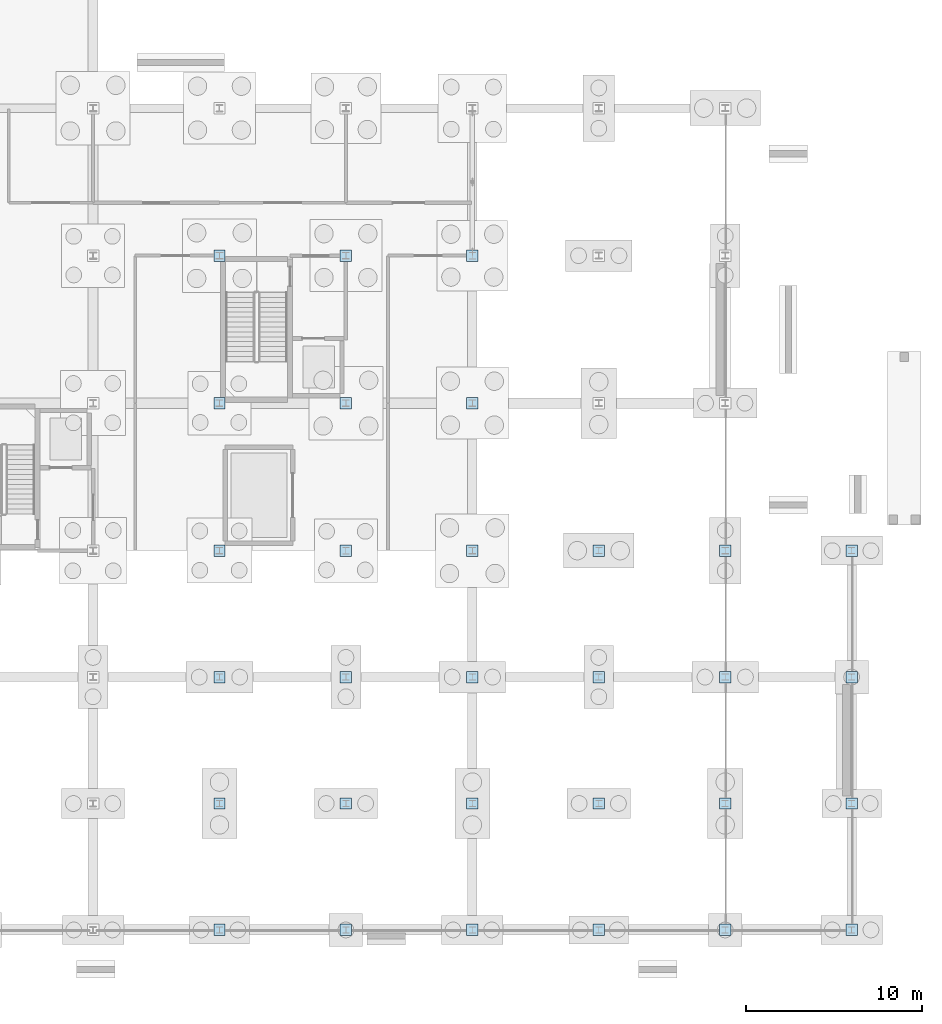
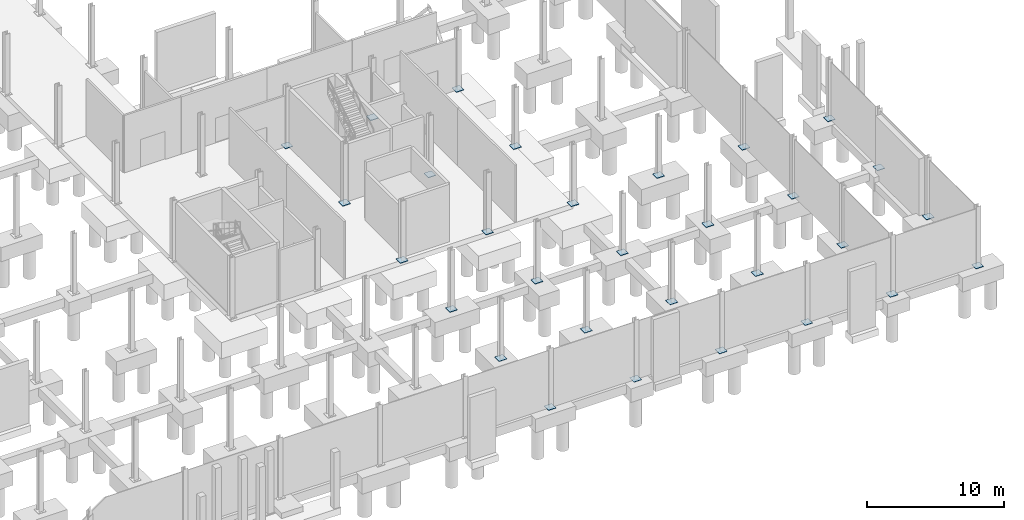
# One storey, part 40 of 61: 30 plates.
"""IFC4 building model written with IfcOpenShell, lengths in metres."""

from ifc_helpers import new_model, si_unit, direction, frame, origin, origin_2d, place, context, subcontext, project, spatial, rectangle, extrude, material, layer, layer_set, type_object, element, save


model = new_model("IFC4")

# Units and contexts
model_context = context("Model", 3, precision=1e-05, world=origin(), true_north=direction((0.0, 1.0)))
body_context = subcontext(model_context, "Body", "Model", "MODEL_VIEW")
ifc_project = project(units=[si_unit("LENGTHUNIT", "METRE"), si_unit("AREAUNIT", "SQUARE_METRE"), si_unit("VOLUMEUNIT", "CUBIC_METRE"), si_unit("PLANEANGLEUNIT", "RADIAN"), si_unit("MASSUNIT", "GRAM", prefix="KILO")], contexts=[model_context])

# Site, building, storey
site_placement = place(None, origin())
site = spatial("IfcSite", under=ifc_project, at=site_placement, CompositionType="ELEMENT")
building_placement = place(site_placement, origin())
building = spatial("IfcBuilding", under=site, at=building_placement, Name="Calvrana Isthmian Art Gallery", CompositionType="ELEMENT")
storey_placement = place(building_placement, frame((0.0, 0.0, -5.39990234375)))
storey = spatial("IfcBuildingStorey", under=building, at=storey_placement, Name="B1", CompositionType="ELEMENT", Elevation=-5.39990234375)

# Plates
ifc_material = material(Name="Steel ASTM A572 Gr 50", Category="steel")
ifc_layer_1 = layer(ifc_material, 0.0380859375, Name="Steel ASTM A572 Gr 50")
ifc_layer_set_1 = layer_set([ifc_layer_1], Name="Steel ASTM A572 Gr 50")
plate_type_1 = type_object("IfcPlateType", Name="PL-BASE-38", PredefinedType="USERDEFINED", material=ifc_layer_set_1)
for number, where, z_axis, x_axis, name in (
    (1, (127.199951171875, 0.0, -0.000244140625), (0.0, 0.0, 1.0), (1.0, 0.0, 0.0), "Base plate 17/A"),
    (2, (127.199951171875, 7.199951171875, -0.000244140625), (0.0, 0.0, 1.0), (1.0, 0.0, 0.0), "Base plate 17/B"),
    (3, (134.39990234375, 0.0, -0.000244140625), (0.0, 0.0, 1.0), (1.0, 0.0, 0.0), "Base plate 18/A"),
    (4, (134.39990234375, 7.199951171875, -0.000244140625), (0.0, 0.0, 1.0), (1.0, 0.0, 0.0), "Base plate 18/B"),
    (5, (141.60009765625, 0.0, -0.000244140625), (0.0, 0.0, 1.0), (1.0, 0.0, 0.0), "Base plate 19/A"),
    (6, (141.60009765625, 7.199951171875, -0.000244140625), (0.0, 0.0, 1.0), (1.0, 0.0, 0.0), "Base plate 19/B"),
    (7, (148.800048828125, 0.0, -0.000244140625), (0.0, 0.0, 1.0), (1.0, 0.0, 0.0), "Base plate 20/A"),
    (8, (148.800048828125, 7.199951171875, -0.000244140625), (0.0, 0.0, 1.0), (1.0, 0.0, 0.0), "Base plate 20/B"),
    (9, (148.800048828125, 14.39990234375, -0.000244140625), (0.0, 0.0, 1.0), (1.0, 0.0, 0.0), "Base plate 20/C"),
    (10, (148.800048828125, 21.60009765625, -0.000244140625), (0.0, 0.0, 1.0), (1.0, 0.0, 0.0), "Base plate 20/D"),
    (11, (156.0, 0.0, -0.000244140625), (0.0, 0.0, 1.0), (1.0, 0.0, 0.0), "Base plate 21/A"),
    (12, (156.0, 7.199951171875, -0.000244140625), (0.0, 0.0, 1.0), (1.0, 0.0, 0.0), "Base plate 21/B"),
    (13, (156.0, 14.39990234375, -0.000244140625), (0.0, 0.0, 1.0), (1.0, 0.0, 0.0), "Base plate 21/C"),
    (14, (156.0, 21.60009765625, -0.000244140625), (0.0, 0.0, 1.0), (1.0, 0.0, 0.0), "Base plate 21/D"),
    (15, (163.199951171875, 0.0, -0.000244140625), (0.0, 0.0, 1.0), (1.0, 0.0, 0.0), "Base plate 22/A"),
    (16, (163.199951171875, 7.199951171875, -0.000244140625), (0.0, 0.0, 1.0), (1.0, 0.0, 0.0), "Base plate 22/B"),
    (17, (163.199951171875, 14.39990234375, -0.000244140625), (0.0, 0.0, 1.0), (1.0, 0.0, 0.0), "Base plate 22/C"),
    (18, (163.199951171875, 21.60009765625, -0.000244140625), (0.0, 0.0, 1.0), (1.0, 0.0, 0.0), "Base plate 22/D"),
):
    element("IfcPlate", number, at=place(storey_placement, frame(where, z_axis=z_axis, x_axis=x_axis)), inside=storey, type_object=plate_type_1, Name=name, ObjectType="BASE PLATE", PredefinedType="USERDEFINED", context=body_context, shape_type="SweptSolid", body=[
        extrude(rectangle(XDim=0.64990234375, YDim=0.64990234375, at=origin_2d()), origin(), (0.0, 0.0, 1.0), 0.0380859375),
    ])
ifc_layer_2 = layer(ifc_material, 0.044921875, Name="Steel ASTM A572 Gr 50")
ifc_layer_set_2 = layer_set([ifc_layer_2], Name="Steel ASTM A572 Gr 50")
plate_type_2 = type_object("IfcPlateType", Name="PL-BASE-45", PredefinedType="USERDEFINED", material=ifc_layer_set_2)
for number, where, z_axis, x_axis, name in (
    (19, (127.199951171875, 14.39990234375, 0.0), (0.0, 0.0, 1.0), (1.0, 0.0, 0.0), "Base plate 17/C"),
    (20, (127.199951171875, 21.60009765625, 0.0), (0.0, 0.0, 1.0), (1.0, 0.0, 0.0), "Base plate 17/D"),
    (21, (127.199951171875, 30.0, 0.0), (0.0, 0.0, 1.0), (1.0, 0.0, 0.0), "Base plate 17/E"),
    (22, (127.199951171875, 38.39990234375, 0.0), (0.0, 0.0, 1.0), (1.0, 0.0, 0.0), "Base plate 17/F"),
    (23, (134.39990234375, 14.39990234375, 0.0), (0.0, 0.0, 1.0), (1.0, 0.0, 0.0), "Base plate 18/C"),
    (24, (134.39990234375, 21.60009765625, 0.0), (0.0, 0.0, 1.0), (1.0, 0.0, 0.0), "Base plate 18/D"),
    (25, (134.39990234375, 30.0, 0.0), (0.0, 0.0, 1.0), (1.0, 0.0, 0.0), "Base plate 18/E"),
    (26, (134.39990234375, 38.39990234375, 0.0), (0.0, 0.0, 1.0), (1.0, 0.0, 0.0), "Base plate 18/F"),
    (27, (141.60009765625, 14.39990234375, 0.0), (0.0, 0.0, 1.0), (1.0, 0.0, 0.0), "Base plate 19/C"),
    (28, (141.60009765625, 21.60009765625, 0.0), (0.0, 0.0, 1.0), (1.0, 0.0, 0.0), "Base plate 19/D"),
    (29, (141.60009765625, 30.0, 0.0), (0.0, 0.0, 1.0), (1.0, 0.0, 0.0), "Base plate 19/E"),
    (30, (141.60009765625, 38.39990234375, 0.0), (0.0, 0.0, 1.0), (1.0, 0.0, 0.0), "Base plate 19/F"),
):
    element("IfcPlate", number, at=place(storey_placement, frame(where, z_axis=z_axis, x_axis=x_axis)), inside=storey, type_object=plate_type_2, Name=name, ObjectType="BASE PLATE", PredefinedType="USERDEFINED", context=body_context, shape_type="SweptSolid", body=[
        extrude(rectangle(XDim=0.64990234375, YDim=0.64990234375, at=origin_2d()), origin(), (0.0, 0.0, 1.0), 0.044921875),
    ])

save(model, "model.ifc")
